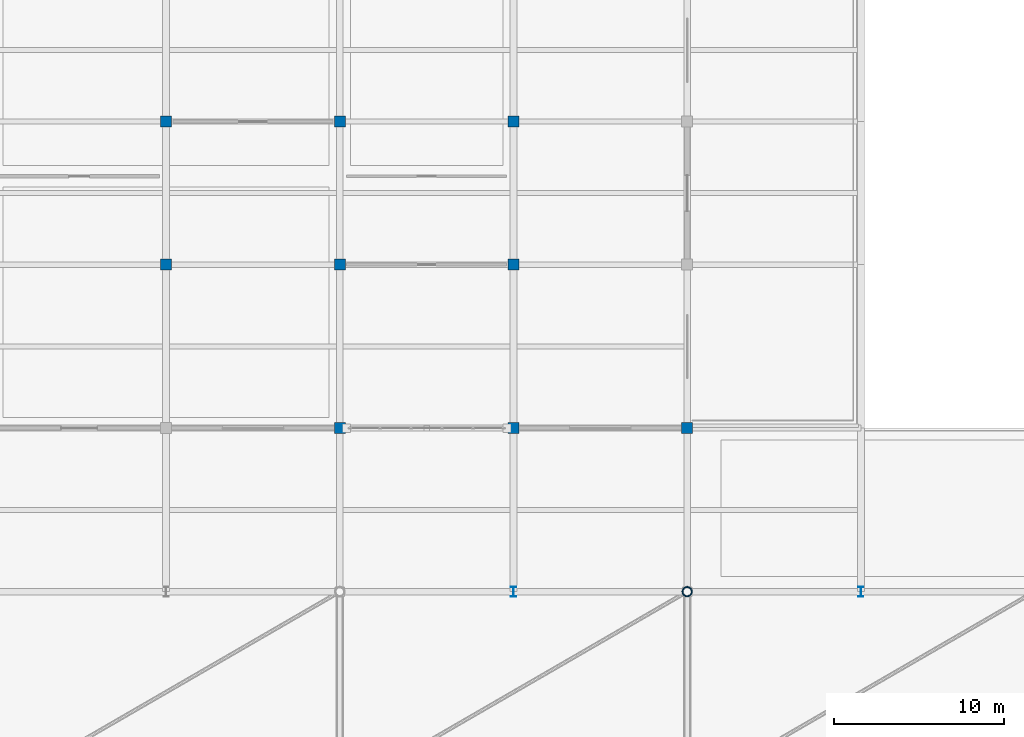
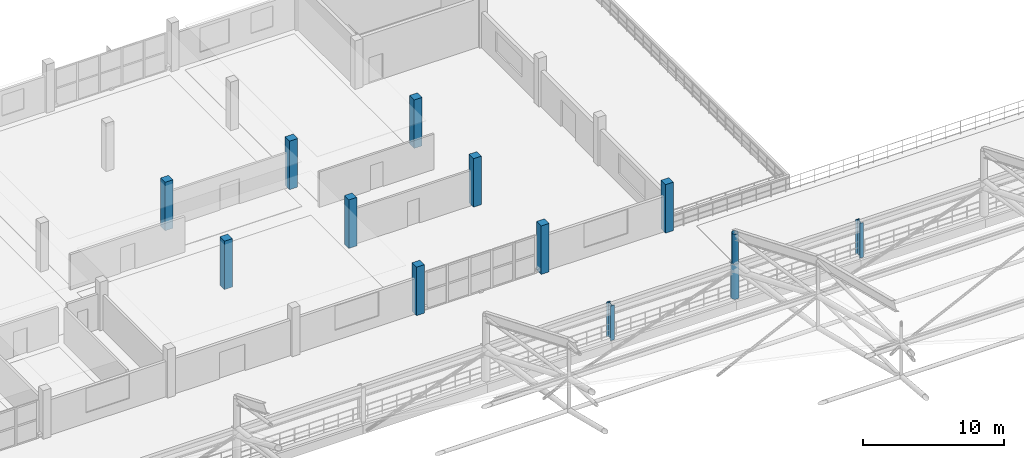
# One storey, part 7 of 135: 13 columns.
"""IFC4 building model written with IfcOpenShell, lengths in metres."""

from ifc_helpers import new_model, si_unit, direction, frame, origin, origin_2d, place, context, subcontext, project, spatial, rectangle, hollow_circle, i_section, extrude, material, material_profile, profile_set, type_object, element, save


model = new_model("IFC4")

# Units and contexts
model_context = context("Model", 3, precision=1e-05, world=origin(), true_north=direction((0.0, 1.0)))
body_context = subcontext(model_context, "Body", "Model", "MODEL_VIEW")
ifc_project = project(units=[si_unit("LENGTHUNIT", "METRE"), si_unit("AREAUNIT", "SQUARE_METRE"), si_unit("VOLUMEUNIT", "CUBIC_METRE"), si_unit("PLANEANGLEUNIT", "RADIAN"), si_unit("MASSUNIT", "GRAM", prefix="KILO")], contexts=[model_context])

# Site, building, storey
site_placement = place(None, origin())
site = spatial("IfcSite", under=ifc_project, at=site_placement, CompositionType="ELEMENT")
building_placement = place(site_placement, origin())
building = spatial("IfcBuilding", under=site, at=building_placement, Name="Brelvane Convention Centre", CompositionType="ELEMENT")
storey_placement = place(building_placement, frame((0.0, 0.0, 15.0)))
storey = spatial("IfcBuildingStorey", under=building, at=storey_placement, Name="L03", CompositionType="ELEMENT", Elevation=15.0)

# Columns
ifc_material_1 = material(Name="Concrete M50", Category="concrete")
ifc_material_profile_1 = material_profile(ifc_material_1, rectangle(XDim=0.64990234375, YDim=0.64990234375, at=origin_2d()), Name="RC 650x650")
ifc_profile_set_1 = profile_set([ifc_material_profile_1], Name="Concrete M50")
column_type_1 = type_object("IfcColumnType", Name="RC Column C-RC10 (RC 650x650)", PredefinedType="COLUMN", material=ifc_profile_set_1)
for number, where, z_axis, x_axis, name in (
    (1, (71.39990234375, 118.800048828125, 0.0), (0.0, 0.0, 1.0), (1.0, 0.0, 0.0), "Column 8-M (L03)"),
    (2, (71.39990234375, 127.199951171875, 0.0), (0.0, 0.0, 1.0), (1.0, 0.0, 0.0), "Column 8-N (L03)"),
    (3, (81.60009765625, 109.199951171875, 0.0), (0.0, 0.0, 1.0), (1.0, 0.0, 0.0), "Column 9-L (L03)"),
    (4, (81.60009765625, 118.800048828125, 0.0), (0.0, 0.0, 1.0), (1.0, 0.0, 0.0), "Column 9-M (L03)"),
    (5, (81.60009765625, 127.199951171875, 0.0), (0.0, 0.0, 1.0), (1.0, 0.0, 0.0), "Column 9-N (L03)"),
    (6, (91.800048828125, 109.199951171875, 0.0), (0.0, 0.0, 1.0), (1.0, 0.0, 0.0), "Column 10-L (L03)"),
    (7, (91.800048828125, 118.800048828125, 0.0), (0.0, 0.0, 1.0), (1.0, 0.0, 0.0), "Column 10-M (L03)"),
    (8, (91.800048828125, 127.199951171875, 0.0), (0.0, 0.0, 1.0), (1.0, 0.0, 0.0), "Column 10-N (L03)"),
    (9, (102.0, 109.199951171875, 0.0), (0.0, 0.0, 1.0), (1.0, 0.0, 0.0), "Column 11-L (L03)"),
):
    element("IfcColumn", number, at=place(storey_placement, frame(where, z_axis=z_axis, x_axis=x_axis)), inside=storey, type_object=column_type_1, Name=name, PredefinedType="COLUMN", context=body_context, shape_type="SweptSolid", body=[
        extrude(rectangle(XDim=0.64990234375, YDim=0.64990234375, at=origin_2d()), origin(), (0.0, 0.0, 1.0), 4.199951171875),
    ])
ifc_material_2 = material(Name="Steel E450 (450 MPa)", Category="steel")
ifc_material_profile_2 = material_profile(ifc_material_2, hollow_circle(Radius=0.304931640625, WallThickness=0.02490234375, at=origin_2d()), Name="CHS 610.0x25.0")
ifc_profile_set_2 = profile_set([ifc_material_profile_2], Name="Steel E450 (450 MPa)")
column_type_2 = type_object("IfcColumnType", Name="Steel Column C-ST1 (CHS 610.0x25.0)", PredefinedType="COLUMN", material=ifc_profile_set_2)
column_1_placement = place(storey_placement, frame((102.0, 99.60009765625, 0.0), z_axis=(0.0, 0.0, 1.0), x_axis=(1.0, 0.0, 0.0)))
element("IfcColumn", 10, at=column_1_placement, inside=storey, type_object=column_type_2, Name="Column 11-K (L03)", PredefinedType="COLUMN", context=body_context, shape_type="SweptSolid", body=[
    extrude(hollow_circle(Radius=0.304931640625, WallThickness=0.02490234375, at=origin_2d()), origin(), (0.0, 0.0, 1.0), 3.0),
])
ifc_material_3 = material(Name="Steel E450 (450 MPa)", Category="steel")
ifc_material_profile_3 = material_profile(ifc_material_3, hollow_circle(Radius=0.25390625, WallThickness=0.02001953125, at=origin_2d()), Name="CHS 508.0x20.0")
ifc_profile_set_3 = profile_set([ifc_material_profile_3], Name="Steel E450 (450 MPa)")
column_type_3 = type_object("IfcColumnType", Name="Steel Column C-ST2 (CHS 508.0x20.0)", PredefinedType="COLUMN", material=ifc_profile_set_3)
column_2_placement = place(storey_placement, frame((102.0, 99.60009765625, 3.0), z_axis=(0.0, 0.0, 1.0), x_axis=(1.0, 0.0, 0.0)))
element("IfcColumn", 11, at=column_2_placement, inside=storey, type_object=column_type_3, Name="EXO_EXH Exoskeletal Eaves Mast 6-N", PredefinedType="COLUMN", context=body_context, shape_type="SweptSolid", body=[
    extrude(hollow_circle(Radius=0.25390625, WallThickness=0.02001953125, at=origin_2d()), origin(), (0.0, 0.0, 1.0), 2.60009765625),
])
ifc_material_4 = material(Name="Steel E450 (450 MPa)", Category="steel")
ifc_material_profile_4 = material_profile(ifc_material_4, i_section(OverallWidth=0.300048828125, OverallDepth=0.60009765625, WebThickness=0.015380859375, FlangeThickness=0.030029296875, FilletRadius=0.027099609375, at=origin_2d()), Name="WPB 600x300")
ifc_profile_set_4 = profile_set([ifc_material_profile_4], Name="Steel E450 (450 MPa)")
column_type_4 = type_object("IfcColumnType", Name="Steel Column C-ST5 (WPB 600x300)", PredefinedType="COLUMN", material=ifc_profile_set_4)
for number, where, z_axis, x_axis, name in (
    (12, (91.800048828125, 99.60009765625, 0.0), (0.0, 0.0, 1.0), (1.0, 0.0, 0.0), "Column 10-K (L03)"),
    (13, (112.199951171875, 99.60009765625, 0.0), (0.0, 0.0, 1.0), (1.0, 0.0, 0.0), "Column 12-K (L03)"),
):
    element("IfcColumn", number, at=place(storey_placement, frame(where, z_axis=z_axis, x_axis=x_axis)), inside=storey, type_object=column_type_4, Name=name, PredefinedType="COLUMN", context=body_context, shape_type="SweptSolid", body=[
        extrude(i_section(OverallWidth=0.300048828125, OverallDepth=0.60009765625, WebThickness=0.015380859375, FlangeThickness=0.030029296875, FilletRadius=0.027099609375, at=origin_2d()), origin(), (0.0, 0.0, 1.0), 3.0),
    ])

save(model, "model.ifc")
